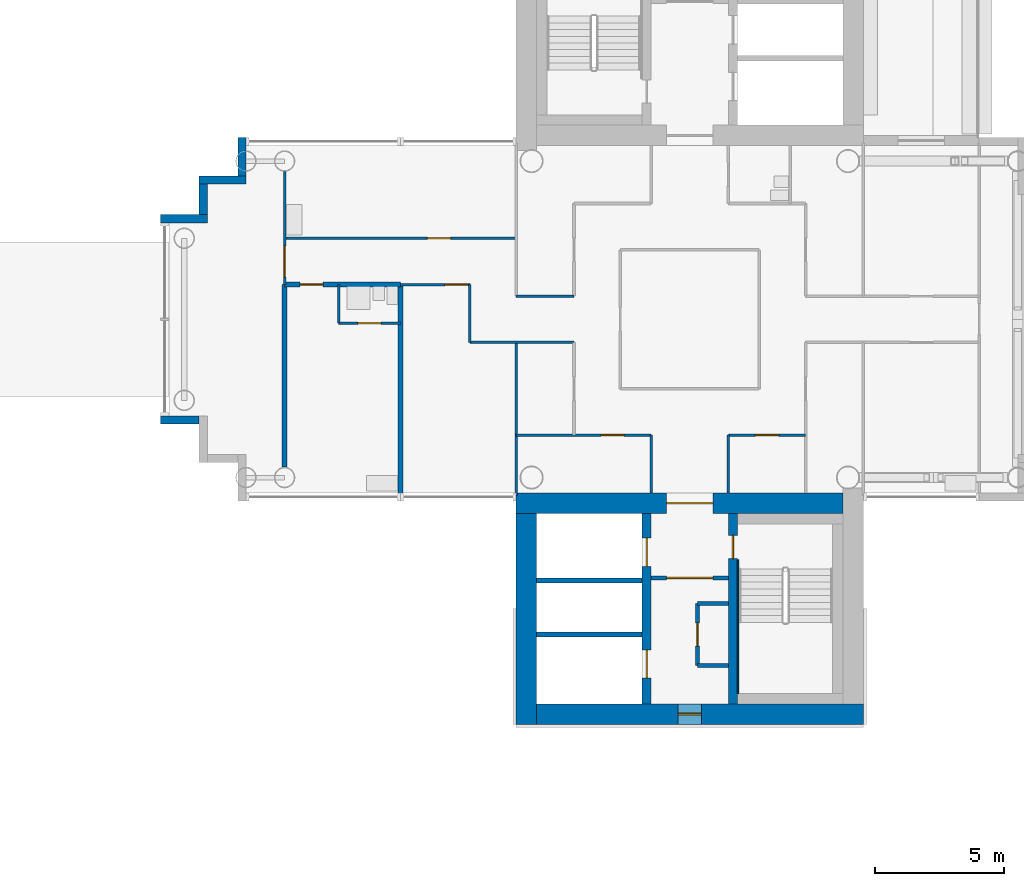
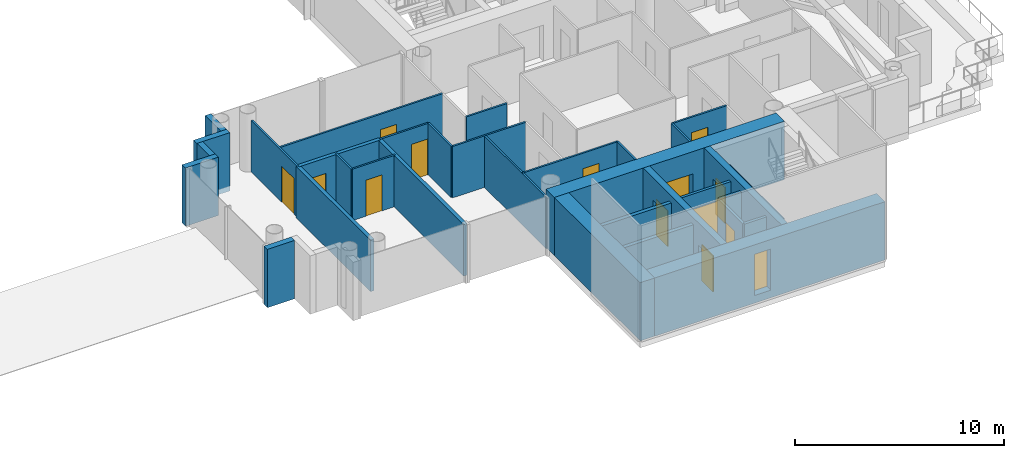
# One storey, part 10 of 19: 33 walls, 13 doors, 1 window, 14 openings.
"""IFC4 building model written with IfcOpenShell, lengths in metres."""

from ifc_helpers import new_model, si_unit, direction, frame, frame_2d, origin, place, context, subcontext, project, spatial, rectangle, extrude, material, layer, layer_set, type_object, element, fill, save


model = new_model("IFC4")

# Units and contexts
model_context = context("Model", 3, precision=1e-05, world=origin(), true_north=direction((0.0, 1.0)))
body_context = subcontext(model_context, "Body", "Model", "MODEL_VIEW")
ifc_project = project(units=[si_unit("LENGTHUNIT", "METRE"), si_unit("AREAUNIT", "SQUARE_METRE"), si_unit("VOLUMEUNIT", "CUBIC_METRE"), si_unit("PLANEANGLEUNIT", "RADIAN"), si_unit("MASSUNIT", "GRAM", prefix="KILO")], contexts=[model_context])

# Site, building, storey
site_placement = place(None, origin())
site = spatial("IfcSite", under=ifc_project, at=site_placement, CompositionType="ELEMENT")
building_placement = place(site_placement, origin())
building = spatial("IfcBuilding", under=site, at=building_placement, Name="Ipe Terrace Towers", CompositionType="ELEMENT")
storey_placement = place(building_placement, frame((0.0, 0.0, 133.699951171875)))
storey = spatial("IfcBuildingStorey", under=building, at=storey_placement, Name="L36", CompositionType="ELEMENT", Elevation=133.699951171875)

# Walls
ifc_material_1 = material(Name="Concrete C40/50 with buff precast cladding", Category="concrete")
ifc_layer_1 = layer(ifc_material_1, 0.320068359375)
ifc_layer_set_1 = layer_set([ifc_layer_1], Name="BUFF CLADDING WALL 320")
wall_type_1 = type_object("IfcWallType", Name="BUFF CLADDING WALL 320", PredefinedType="STANDARD", material=ifc_layer_set_1)
wall_1_placement = place(storey_placement, frame((18.590087890625, 7.070068359375, -0.300048828125), z_axis=(0.0, 0.0, 1.0), x_axis=(0.0, -1.0, 0.0)))
element("IfcWall", 1, at=wall_1_placement, inside=storey, type_object=wall_type_1, Name="T2-W-L36-30a wall", PredefinedType="STANDARD", context=body_context, shape_type="SweptSolid", body=[
    extrude(rectangle(XDim=1.5, YDim=0.320068359375, at=frame_2d((0.75, 0.0))), origin(), (0.0, 0.0, 1.0), 3.400146484375),
])
wall_2_placement = place(storey_placement, frame((18.75, 5.409912109375, -0.300048828125), z_axis=(0.0, 0.0, 1.0), x_axis=(-1.0, 0.0, 0.0)))
element("IfcWall", 2, at=wall_2_placement, inside=storey, type_object=wall_type_1, Name="T2-W-L36-31a wall", PredefinedType="STANDARD", context=body_context, shape_type="SweptSolid", body=[
    extrude(rectangle(XDim=1.820068359375, YDim=0.320068359375, at=frame_2d((0.91015625, 0.0))), origin(), (0.0, 0.0, 1.0), 3.400146484375),
])
wall_3_placement = place(storey_placement, frame((17.090087890625, 5.25, -0.300048828125), z_axis=(0.0, 0.0, 1.0), x_axis=(0.0, -1.0, 0.0)))
element("IfcWall", 3, at=wall_3_placement, inside=storey, type_object=wall_type_1, Name="T2-W-L36-32a wall", PredefinedType="STANDARD", context=body_context, shape_type="SweptSolid", body=[
    extrude(rectangle(XDim=1.179931640625, YDim=0.320068359375, at=frame_2d((0.58984375, 0.0))), origin(), (0.0, 0.0, 1.0), 3.400146484375),
])
wall_4_placement = place(storey_placement, frame((17.25, 3.909912109375, -0.300048828125), z_axis=(0.0, 0.0, 1.0), x_axis=(-1.0, 0.0, 0.0)))
element("IfcWall", 4, at=wall_4_placement, inside=storey, type_object=wall_type_1, Name="T2-W-L36-33a wall", PredefinedType="STANDARD", context=body_context, shape_type="SweptSolid", body=[
    extrude(rectangle(XDim=1.820068359375, YDim=0.320068359375, at=frame_2d((0.91015625, 0.0))), origin(), (0.0, 0.0, 1.0), 3.400146484375),
])
wall_5_placement = place(storey_placement, frame((15.429931640625, -3.909912109375, -0.300048828125), z_axis=(0.0, 0.0, 1.0), x_axis=(1.0, 0.0, 0.0)))
element("IfcWall", 5, at=wall_5_placement, inside=storey, type_object=wall_type_1, Name="T2-W-L36-35a wall", PredefinedType="STANDARD", context=body_context, shape_type="SweptSolid", body=[
    extrude(rectangle(XDim=1.5, YDim=0.320068359375, at=frame_2d((0.75, 0.0))), origin(), (0.0, 0.0, 1.0), 3.400146484375),
])

# Wall, opening, door
ifc_material_2 = material(Name="Gypsum board partition", Category="plasterboard")
ifc_layer_2 = layer(ifc_material_2, 0.10009765625)
ifc_layer_set_2 = layer_set([ifc_layer_2], Name="Gypsum board partition 100 mm")
wall_type_2 = type_object("IfcWallType", Name="Gypsum board partition 100 mm", PredefinedType="PARTITIONING", material=ifc_layer_set_2)
wall_6_placement = place(storey_placement, frame((40.5, -4.5, 0.0), z_axis=(0.0, 0.0, 1.0), x_axis=(-1.0, 0.0, 0.0)))
wall_6 = element("IfcWall", 6, at=wall_6_placement, inside=storey, type_object=wall_type_2, Name="Gypsum board partition T2 L36 W01", PredefinedType="PARTITIONING", context=body_context, shape_type="SweptSolid", body=[
    extrude(rectangle(XDim=3.0, YDim=0.10009765625, at=frame_2d((1.5, 0.0))), origin(), (0.0, 0.0, 1.0), 3.0),
])
opening_1_placement = place(wall_6_placement, frame((1.050048828125, 0.0, 0.0)))
opening_1 = element("IfcOpeningElement", 7, at=opening_1_placement, cuts=wall_6, Name="Opening T2-Z3A-07", PredefinedType="OPENING", context=body_context, shape_type="SweptSolid", body=[
    extrude(rectangle(XDim=0.89990234375, YDim=2.10009765625, at=frame_2d((0.449951171875, 1.050048828125))), frame((0.0, 0.06005859375, 0.0), z_axis=(0.0, -1.0, 0.0), x_axis=(1.0, 0.0, 0.0)), (0.0, 0.0, 1.0), 0.1201171875),
])
ifc_material_3 = material(Name="Timber door leaf", Category="wood")
door_type_1 = type_object("IfcDoorType", Name="Lounge door 900 x 2100", OperationType="NOTDEFINED", PredefinedType="DOOR", material=ifc_material_3)
door_1_placement = place(opening_1_placement, origin())
door_1 = element("IfcDoor", 8, at=door_1_placement, inside=storey, type_object=door_type_1, Name="Lounge door T2-Z3A-07", OperationType="SINGLE_SWING_LEFT", OverallHeight=2.10009765625, OverallWidth=0.89990234375, PredefinedType="DOOR", context=body_context, shape_type="SweptSolid", body=[
    extrude(rectangle(XDim=0.89990234375, YDim=2.10009765625, at=frame_2d((0.449951171875, 1.050048828125))), frame((0.0, 0.02490234375, 0.0), z_axis=(0.0, -1.0, 0.0), x_axis=(1.0, 0.0, 0.0)), (0.0, 0.0, 1.0), 0.050048828125),
])
fill(opening_1, door_1)

wall_7_placement = place(storey_placement, frame((34.5, -4.5, 0.0), z_axis=(0.0, 0.0, 1.0), x_axis=(-1.0, 0.0, 0.0)))
wall_7 = element("IfcWall", 9, at=wall_7_placement, inside=storey, type_object=wall_type_2, Name="Gypsum board partition T2 L36 W02", PredefinedType="PARTITIONING", context=body_context, shape_type="SweptSolid", body=[
    extrude(rectangle(XDim=5.25, YDim=0.10009765625, at=frame_2d((2.625, 0.0))), origin(), (0.0, 0.0, 1.0), 3.0),
])
opening_2_placement = place(wall_7_placement, frame((1.050048828125, 0.0, 0.0)))
opening_2 = element("IfcOpeningElement", 10, at=opening_2_placement, cuts=wall_7, Name="Opening T2-Z3A-05", PredefinedType="OPENING", context=body_context, shape_type="SweptSolid", body=[
    extrude(rectangle(XDim=0.89990234375, YDim=2.10009765625, at=frame_2d((0.449951171875, 1.050048828125))), frame((0.0, 0.06005859375, 0.0), z_axis=(0.0, -1.0, 0.0), x_axis=(1.0, 0.0, 0.0)), (0.0, 0.0, 1.0), 0.1201171875),
])
door_2_placement = place(opening_2_placement, origin())
door_2 = element("IfcDoor", 11, at=door_2_placement, inside=storey, type_object=door_type_1, Name="Lounge door T2-Z3A-05", OperationType="SINGLE_SWING_RIGHT", OverallHeight=2.10009765625, OverallWidth=0.89990234375, PredefinedType="DOOR", context=body_context, shape_type="SweptSolid", body=[
    extrude(rectangle(XDim=0.89990234375, YDim=2.10009765625, at=frame_2d((0.449951171875, 1.050048828125))), frame((0.0, 0.02490234375, 0.0), z_axis=(0.0, -1.0, 0.0), x_axis=(1.0, 0.0, 0.0)), (0.0, 0.0, 1.0), 0.050048828125),
])
fill(opening_2, door_2)

# Wall
wall_8_placement = place(storey_placement, frame((31.5, -0.89990234375, 0.0), z_axis=(0.0, 0.0, 1.0), x_axis=(-1.0, 0.0, 0.0)))
element("IfcWall", 12, at=wall_8_placement, inside=storey, type_object=wall_type_2, Name="Gypsum board partition T2 L36 W05", PredefinedType="PARTITIONING", context=body_context, shape_type="SweptSolid", body=[
    extrude(rectangle(XDim=4.050048828125, YDim=0.10009765625, at=frame_2d((2.02490234375, 0.0))), origin(), (0.0, 0.0, 1.0), 3.0),
])

# Wall, opening, door
wall_9_placement = place(storey_placement, frame((24.75, -0.14990234375, 0.0), z_axis=(0.0, 0.0, 1.0), x_axis=(-1.0, 0.0, 0.0)))
wall_9 = element("IfcWall", 13, at=wall_9_placement, inside=storey, type_object=wall_type_2, Name="Gypsum board partition T2 L36 W06", PredefinedType="PARTITIONING", context=body_context, shape_type="SweptSolid", body=[
    extrude(rectangle(XDim=2.39990234375, YDim=0.10009765625, at=frame_2d((1.199951171875, 0.0))), origin(), (0.0, 0.0, 1.0), 3.0),
])
opening_3_placement = place(wall_9_placement, frame((0.75, 0.0, 0.0)))
opening_3 = element("IfcOpeningElement", 14, at=opening_3_placement, cuts=wall_9, Name="Opening T2-Z3A-11", PredefinedType="OPENING", context=body_context, shape_type="SweptSolid", body=[
    extrude(rectangle(XDim=0.89990234375, YDim=2.10009765625, at=frame_2d((0.449951171875, 1.050048828125))), frame((0.0, 0.06005859375, 0.0), z_axis=(0.0, -1.0, 0.0), x_axis=(1.0, 0.0, 0.0)), (0.0, 0.0, 1.0), 0.1201171875),
])
ifc_material_4 = material(Name="Timber door leaf", Category="wood")
door_type_2 = type_object("IfcDoorType", Name="Bathroom door 900 x 2100", OperationType="NOTDEFINED", PredefinedType="DOOR", material=ifc_material_4)
door_3_placement = place(opening_3_placement, origin())
door_3 = element("IfcDoor", 15, at=door_3_placement, inside=storey, type_object=door_type_2, Name="Bathroom door T2-Z3A-11", OperationType="SINGLE_SWING_LEFT", OverallHeight=2.10009765625, OverallWidth=0.89990234375, PredefinedType="DOOR", context=body_context, shape_type="SweptSolid", body=[
    extrude(rectangle(XDim=0.89990234375, YDim=2.10009765625, at=frame_2d((0.449951171875, 1.050048828125))), frame((0.0, 0.02490234375, 0.0), z_axis=(0.0, -1.0, 0.0), x_axis=(1.0, 0.0, 0.0)), (0.0, 0.0, 1.0), 0.050048828125),
])
fill(opening_3, door_3)

# Wall
wall_10_placement = place(storey_placement, frame((31.5, 0.89990234375, 0.0), z_axis=(0.0, 0.0, 1.0), x_axis=(-1.0, 0.0, 0.0)))
element("IfcWall", 16, at=wall_10_placement, inside=storey, type_object=wall_type_2, Name="Gypsum board partition T2 L36 W08", PredefinedType="PARTITIONING", context=body_context, shape_type="SweptSolid", body=[
    extrude(rectangle(XDim=2.25, YDim=0.10009765625, at=frame_2d((1.125, 0.0))), origin(), (0.0, 0.0, 1.0), 3.0),
])

# Wall, opening, door
wall_11_placement = place(storey_placement, frame((27.449951171875, 1.35009765625, 0.0), z_axis=(0.0, 0.0, 1.0), x_axis=(-1.0, 0.0, 0.0)))
wall_11 = element("IfcWall", 17, at=wall_11_placement, inside=storey, type_object=wall_type_2, Name="Gypsum board partition T2 L36 W09", PredefinedType="PARTITIONING", context=body_context, shape_type="SweptSolid", body=[
    extrude(rectangle(XDim=2.699951171875, YDim=0.10009765625, at=frame_2d((1.35009765625, 0.0))), origin(), (0.0, 0.0, 1.0), 3.0),
])
opening_4_placement = place(wall_11_placement, frame((0.070068359375, 0.0, 0.0)))
opening_4 = element("IfcOpeningElement", 18, at=opening_4_placement, cuts=wall_11, Name="Opening T2-Z3A-09", PredefinedType="OPENING", context=body_context, shape_type="SweptSolid", body=[
    extrude(rectangle(XDim=0.89990234375, YDim=2.10009765625, at=frame_2d((0.449951171875, 1.050048828125))), frame((0.0, 0.06005859375, 0.0), z_axis=(0.0, -1.0, 0.0), x_axis=(1.0, 0.0, 0.0)), (0.0, 0.0, 1.0), 0.1201171875),
])
door_4_placement = place(opening_4_placement, origin())
door_4 = element("IfcDoor", 19, at=door_4_placement, inside=storey, type_object=door_type_1, Name="Lounge door T2-Z3A-09", OperationType="SINGLE_SWING_RIGHT", OverallHeight=2.10009765625, OverallWidth=0.89990234375, PredefinedType="DOOR", context=body_context, shape_type="SweptSolid", body=[
    extrude(rectangle(XDim=0.89990234375, YDim=2.10009765625, at=frame_2d((0.449951171875, 1.050048828125))), frame((0.0, 0.02490234375, 0.0), z_axis=(0.0, -1.0, 0.0), x_axis=(1.0, 0.0, 0.0)), (0.0, 0.0, 1.0), 0.050048828125),
])
fill(opening_4, door_4)

wall_12_placement = place(storey_placement, frame((29.25, 3.14990234375, 0.0), z_axis=(0.0, 0.0, 1.0), x_axis=(-1.0, 0.0, 0.0)))
wall_12 = element("IfcWall", 20, at=wall_12_placement, inside=storey, type_object=wall_type_2, Name="Gypsum board partition T2 L36 W12", PredefinedType="PARTITIONING", context=body_context, shape_type="SweptSolid", body=[
    extrude(rectangle(XDim=9.0, YDim=0.10009765625, at=frame_2d((4.5, 0.0))), origin(), (0.0, 0.0, 1.0), 3.0),
])
opening_5_placement = place(wall_12_placement, frame((2.550048828125, 0.0, 0.0)))
opening_5 = element("IfcOpeningElement", 21, at=opening_5_placement, cuts=wall_12, Name="Opening T2-Z3A-12", PredefinedType="OPENING", context=body_context, shape_type="SweptSolid", body=[
    extrude(rectangle(XDim=0.89990234375, YDim=2.10009765625, at=frame_2d((0.449951171875, 1.050048828125))), frame((0.0, 0.06005859375, 0.0), z_axis=(0.0, -1.0, 0.0), x_axis=(1.0, 0.0, 0.0)), (0.0, 0.0, 1.0), 0.1201171875),
])
door_5_placement = place(opening_5_placement, origin())
door_5 = element("IfcDoor", 22, at=door_5_placement, inside=storey, type_object=door_type_1, Name="Lounge door T2-Z3A-12", OperationType="SINGLE_SWING_LEFT", OverallHeight=2.10009765625, OverallWidth=0.89990234375, PredefinedType="DOOR", context=body_context, shape_type="SweptSolid", body=[
    extrude(rectangle(XDim=0.89990234375, YDim=2.10009765625, at=frame_2d((0.449951171875, 1.050048828125))), frame((0.0, 0.02490234375, 0.0), z_axis=(0.0, -1.0, 0.0), x_axis=(1.0, 0.0, 0.0)), (0.0, 0.0, 1.0), 0.050048828125),
])
fill(opening_5, door_5)

# Walls
for number, where, z_axis, x_axis, name in (
    (23, (37.5, -6.75, 0.0), (0.0, 0.0, 1.0), (0.0, 1.0, 0.0), "Gypsum board partition T2 L36 W25"),
    (24, (34.5, -6.75, 0.0), (0.0, 0.0, 1.0), (0.0, 1.0, 0.0), "Gypsum board partition T2 L36 W29"),
):
    element("IfcWall", number, at=place(storey_placement, frame(where, z_axis=z_axis, x_axis=x_axis)), inside=storey, type_object=wall_type_2, Name=name, PredefinedType="PARTITIONING", context=body_context, shape_type="SweptSolid", body=[
        extrude(rectangle(XDim=2.25, YDim=0.10009765625, at=frame_2d((1.125, 0.0))), origin(), (0.0, 0.0, 1.0), 3.0),
    ])
wall_13_placement = place(storey_placement, frame((29.25, -6.85009765625, 0.0), z_axis=(0.0, 0.0, 1.0), x_axis=(0.0, 1.0, 0.0)))
element("IfcWall", 25, at=wall_13_placement, inside=storey, type_object=wall_type_2, Name="Gypsum board partition T2 L36 W36", PredefinedType="PARTITIONING", context=body_context, shape_type="SweptSolid", body=[
    extrude(rectangle(XDim=5.9501953125, YDim=0.10009765625, at=frame_2d((2.97509765625, 0.0))), origin(), (0.0, 0.0, 1.0), 3.0),
])
wall_14_placement = place(storey_placement, frame((27.449951171875, -0.89990234375, 0.0), z_axis=(0.0, 0.0, 1.0), x_axis=(0.0, 1.0, 0.0)))
element("IfcWall", 26, at=wall_14_placement, inside=storey, type_object=wall_type_2, Name="Gypsum board partition T2 L36 W38", PredefinedType="PARTITIONING", context=body_context, shape_type="SweptSolid", body=[
    extrude(rectangle(XDim=2.25, YDim=0.10009765625, at=frame_2d((1.125, 0.0))), origin(), (0.0, 0.0, 1.0), 3.0),
])
wall_15_placement = place(storey_placement, frame((22.35009765625, -0.14990234375, 0.0), z_axis=(0.0, 0.0, 1.0), x_axis=(0.0, 1.0, 0.0)))
element("IfcWall", 27, at=wall_15_placement, inside=storey, type_object=wall_type_2, Name="Gypsum board partition T2 L36 W40", PredefinedType="PARTITIONING", context=body_context, shape_type="SweptSolid", body=[
    extrude(rectangle(XDim=1.5, YDim=0.10009765625, at=frame_2d((0.75, 0.0))), origin(), (0.0, 0.0, 1.0), 3.0),
])

# Wall, opening, door
wall_16_placement = place(storey_placement, frame((20.25, 1.35009765625, 0.0), z_axis=(0.0, 0.0, 1.0), x_axis=(0.0, 1.0, 0.0)))
wall_16 = element("IfcWall", 28, at=wall_16_placement, inside=storey, type_object=wall_type_2, Name="Gypsum board partition T2 L36 W41", PredefinedType="PARTITIONING", context=body_context, shape_type="SweptSolid", body=[
    extrude(rectangle(XDim=4.39990234375, YDim=0.10009765625, at=frame_2d((2.199951171875, 0.0))), origin(), (0.0, 0.0, 1.0), 3.0),
])
opening_6_placement = place(wall_16_placement, frame((0.300048828125, 0.0, 0.0)))
opening_6 = element("IfcOpeningElement", 29, at=opening_6_placement, cuts=wall_16, Name="Opening T2-Z3A-13", PredefinedType="OPENING", context=body_context, shape_type="SweptSolid", body=[
    extrude(rectangle(XDim=1.199951171875, YDim=2.10009765625, at=frame_2d((0.60009765625, 1.050048828125))), frame((0.0, 0.06005859375, 0.0), z_axis=(0.0, -1.0, 0.0), x_axis=(1.0, 0.0, 0.0)), (0.0, 0.0, 1.0), 0.1201171875),
])
ifc_material_5 = material(Name="Timber door leaf", Category="wood")
door_type_3 = type_object("IfcDoorType", Name="Lounge door 1200 x 2100", OperationType="NOTDEFINED", PredefinedType="DOOR", material=ifc_material_5)
door_6_placement = place(opening_6_placement, origin())
door_6 = element("IfcDoor", 30, at=door_6_placement, inside=storey, type_object=door_type_3, Name="Lounge door T2-Z3A-13", OperationType="SINGLE_SWING_RIGHT", OverallHeight=2.10009765625, OverallWidth=1.199951171875, PredefinedType="DOOR", context=body_context, shape_type="SweptSolid", body=[
    extrude(rectangle(XDim=1.199951171875, YDim=2.10009765625, at=frame_2d((0.60009765625, 1.050048828125))), frame((0.0, 0.02490234375, 0.0), z_axis=(0.0, -1.0, 0.0), x_axis=(1.0, 0.0, 0.0)), (0.0, 0.0, 1.0), 0.050048828125),
])
fill(opening_6, door_6)

ifc_material_6 = material(Name="Gypsum board partition", Category="plasterboard")
ifc_layer_3 = layer(ifc_material_6, 0.14990234375)
ifc_layer_set_3 = layer_set([ifc_layer_3], Name="Gypsum board partition 150 mm")
wall_type_3 = type_object("IfcWallType", Name="Gypsum board partition 150 mm", PredefinedType="PARTITIONING", material=ifc_layer_set_3)
wall_17_placement = place(storey_placement, frame((34.5, -10.050048828125, 0.0), z_axis=(0.0, 0.0, 1.0), x_axis=(1.0, 0.0, 0.0)))
wall_17 = element("IfcWall", 31, at=wall_17_placement, inside=storey, type_object=wall_type_3, Name="Gypsum board partition T2 L36 t2c2-lobby-wall", PredefinedType="PARTITIONING", context=body_context, shape_type="SweptSolid", body=[
    extrude(rectangle(XDim=3.0, YDim=0.14990234375, at=frame_2d((1.5, 0.0))), origin(), (0.0, 0.0, 1.0), 3.0),
])
opening_7_placement = place(wall_17_placement, frame((0.60009765625, 0.0, 0.0)))
opening_7 = element("IfcOpeningElement", 32, at=opening_7_placement, cuts=wall_17, Name="Opening T2C2-VD", PredefinedType="OPENING", context=body_context, shape_type="SweptSolid", body=[
    extrude(rectangle(XDim=1.800048828125, YDim=2.10009765625, at=frame_2d((0.89990234375, 1.050048828125))), frame((0.0, 0.0849609375, 0.0), z_axis=(0.0, -1.0, 0.0), x_axis=(1.0, 0.0, 0.0)), (0.0, 0.0, 1.0), 0.169921875),
])
ifc_material_7 = material(Name="Fire-rated timber door leaf", Category="wood")
door_type_4 = type_object("IfcDoorType", Name="Lobby door 1800 x 2100 FD60", OperationType="NOTDEFINED", PredefinedType="DOOR", material=ifc_material_7)
door_7_placement = place(opening_7_placement, origin())
door_7 = element("IfcDoor", 33, at=door_7_placement, inside=storey, type_object=door_type_4, Name="Lobby door T2C2-VD", OperationType="SINGLE_SWING_LEFT", OverallHeight=2.10009765625, OverallWidth=1.800048828125, PredefinedType="DOOR", context=body_context, shape_type="SweptSolid", body=[
    extrude(rectangle(XDim=1.800048828125, YDim=2.10009765625, at=frame_2d((0.89990234375, 1.050048828125))), frame((0.0, 0.02490234375, 0.0), z_axis=(0.0, -1.0, 0.0), x_axis=(1.0, 0.0, 0.0)), (0.0, 0.0, 1.0), 0.050048828125),
])
fill(opening_7, door_7)

wall_18_placement = place(storey_placement, frame((36.300048828125, -11.050048828125, 0.0), z_axis=(0.0, 0.0, 1.0), x_axis=(0.0, -1.0, 0.0)))
wall_18 = element("IfcWall", 34, at=wall_18_placement, inside=storey, type_object=wall_type_3, Name="Gypsum board partition T2 L36 t2c2-cup-n-f", PredefinedType="PARTITIONING", context=body_context, shape_type="SweptSolid", body=[
    extrude(rectangle(XDim=2.39990234375, YDim=0.14990234375, at=frame_2d((1.199951171875, 0.0))), origin(), (0.0, 0.0, 1.0), 3.0),
])
opening_8_placement = place(wall_18_placement, frame((0.75, 0.0, 0.0)))
opening_8 = element("IfcOpeningElement", 35, at=opening_8_placement, cuts=wall_18, Name="Opening T2C2-SR", PredefinedType="OPENING", context=body_context, shape_type="SweptSolid", body=[
    extrude(rectangle(XDim=0.89990234375, YDim=2.10009765625, at=frame_2d((0.449951171875, 1.050048828125))), frame((0.0, 0.0849609375, 0.0), z_axis=(0.0, -1.0, 0.0), x_axis=(1.0, 0.0, 0.0)), (0.0, 0.0, 1.0), 0.169921875),
])
ifc_material_8 = material(Name="Fire-rated timber door leaf", Category="wood")
door_type_5 = type_object("IfcDoorType", Name="Service door 900 x 2100 FD60", OperationType="NOTDEFINED", PredefinedType="DOOR", material=ifc_material_8)
door_8_placement = place(opening_8_placement, origin())
door_8 = element("IfcDoor", 36, at=door_8_placement, inside=storey, type_object=door_type_5, Name="Service door T2C2-SR", OperationType="SINGLE_SWING_LEFT", OverallHeight=2.10009765625, OverallWidth=0.89990234375, PredefinedType="DOOR", context=body_context, shape_type="SweptSolid", body=[
    extrude(rectangle(XDim=0.89990234375, YDim=2.10009765625, at=frame_2d((0.449951171875, 1.050048828125))), frame((0.0, 0.02490234375, 0.0), z_axis=(0.0, -1.0, 0.0), x_axis=(1.0, 0.0, 0.0)), (0.0, 0.0, 1.0), 0.050048828125),
])
fill(opening_8, door_8)

# Walls
for number, where, z_axis, x_axis, name in (
    (37, (36.300048828125, -11.050048828125, 0.0), (0.0, 0.0, 1.0), (1.0, 0.0, 0.0), "Gypsum board partition T2 L36 t2c2-cup-n-a"),
    (38, (36.300048828125, -13.449951171875, 0.0), (0.0, 0.0, 1.0), (1.0, 0.0, 0.0), "Gypsum board partition T2 L36 t2c2-cup-n-b"),
):
    element("IfcWall", number, at=place(storey_placement, frame(where, z_axis=z_axis, x_axis=x_axis)), inside=storey, type_object=wall_type_3, Name=name, PredefinedType="PARTITIONING", context=body_context, shape_type="SweptSolid", body=[
        extrude(rectangle(XDim=1.199951171875, YDim=0.14990234375, at=frame_2d((0.60009765625, 0.0))), origin(), (0.0, 0.0, 1.0), 3.0),
    ])
ifc_material_9 = material(Name="Gypsum board party wall", Category="plasterboard")
ifc_layer_4 = layer(ifc_material_9, 0.199951171875)
ifc_layer_set_4 = layer_set([ifc_layer_4], Name="Gypsum board party wall 200 mm")
wall_type_4 = type_object("IfcWallType", Name="Gypsum board party wall 200 mm", PredefinedType="SOLIDWALL", material=ifc_layer_set_4)
for number, where, z_axis, x_axis, name in (
    (39, (30.050048828125, -10.14990234375, 0.0), (0.0, 0.0, 1.0), (1.0, 0.0, 0.0), "Gypsum board party wall T2 L36 t2c2-shaft-div1"),
    (40, (30.050048828125, -12.25, 0.0), (0.0, 0.0, 1.0), (1.0, 0.0, 0.0), "Gypsum board party wall T2 L36 t2c2-shaft-div2"),
):
    element("IfcWall", number, at=place(storey_placement, frame(where, z_axis=z_axis, x_axis=x_axis)), inside=storey, type_object=wall_type_4, Name=name, PredefinedType="SOLIDWALL", context=body_context, shape_type="SweptSolid", body=[
        extrude(rectangle(XDim=4.099853515625, YDim=0.199951171875, at=frame_2d((2.0498046875, 0.0))), origin(), (0.0, 0.0, 1.0), 3.0),
    ])

# Wall, opening, door
wall_19_placement = place(storey_placement, frame((24.75, 1.35009765625, 0.0), z_axis=(0.0, 0.0, 1.0), x_axis=(-1.0, 0.0, 0.0)))
wall_19 = element("IfcWall", 41, at=wall_19_placement, inside=storey, type_object=wall_type_4, Name="Gypsum board party wall T2 L36 W10", PredefinedType="SOLIDWALL", context=body_context, shape_type="SweptSolid", body=[
    extrude(rectangle(XDim=4.5, YDim=0.199951171875, at=frame_2d((2.25, 0.0))), origin(), (0.0, 0.0, 1.0), 3.0),
])
opening_9_placement = place(wall_19_placement, frame((3.0, 0.0, 0.0)))
opening_9 = element("IfcOpeningElement", 42, at=opening_9_placement, cuts=wall_19, Name="Opening T2-Z3A-10", PredefinedType="OPENING", context=body_context, shape_type="SweptSolid", body=[
    extrude(rectangle(XDim=0.89990234375, YDim=2.10009765625, at=frame_2d((0.449951171875, 1.050048828125))), frame((0.0, 0.10986328125, 0.0), z_axis=(0.0, -1.0, 0.0), x_axis=(1.0, 0.0, 0.0)), (0.0, 0.0, 1.0), 0.219970703125),
])
ifc_material_10 = material(Name="Fire-rated timber door leaf", Category="wood")
door_type_6 = type_object("IfcDoorType", Name="Flat entrance door 900 x 2100 FD30S", OperationType="NOTDEFINED", PredefinedType="DOOR", material=ifc_material_10)
door_9_placement = place(opening_9_placement, origin())
door_9 = element("IfcDoor", 43, at=door_9_placement, inside=storey, type_object=door_type_6, Name="Flat entrance door T2-Z3A-10", OperationType="SINGLE_SWING_LEFT", OverallHeight=2.10009765625, OverallWidth=0.89990234375, PredefinedType="DOOR", context=body_context, shape_type="SweptSolid", body=[
    extrude(rectangle(XDim=0.89990234375, YDim=2.10009765625, at=frame_2d((0.449951171875, 1.050048828125))), frame((0.0, 0.02490234375, 0.0), z_axis=(0.0, -1.0, 0.0), x_axis=(1.0, 0.0, 0.0)), (0.0, 0.0, 1.0), 0.050048828125),
])
fill(opening_9, door_9)

# Walls
wall_20_placement = place(storey_placement, frame((24.75, -6.85009765625, 0.0), z_axis=(0.0, 0.0, 1.0), x_axis=(0.0, 1.0, 0.0)))
element("IfcWall", 44, at=wall_20_placement, inside=storey, type_object=wall_type_4, Name="Gypsum board party wall T2 L36 W39", PredefinedType="SOLIDWALL", context=body_context, shape_type="SweptSolid", body=[
    extrude(rectangle(XDim=8.2001953125, YDim=0.199951171875, at=frame_2d((4.10009765625, 0.0))), origin(), (0.0, 0.0, 1.0), 3.0),
])
wall_21_placement = place(storey_placement, frame((20.25, -5.75, 0.0), z_axis=(0.0, 0.0, 1.0), x_axis=(0.0, 1.0, 0.0)))
element("IfcWall", 45, at=wall_21_placement, inside=storey, type_object=wall_type_4, Name="Gypsum board party wall T2 L36 W42", PredefinedType="SOLIDWALL", context=body_context, shape_type="SweptSolid", body=[
    extrude(rectangle(XDim=7.10009765625, YDim=0.199951171875, at=frame_2d((3.550048828125, 0.0))), origin(), (0.0, 0.0, 1.0), 3.0),
])

# Wall, openings, doors
ifc_material_11 = material(Name="Concrete C50/60", Category="concrete")
ifc_layer_5 = layer(ifc_material_11, 0.35009765625)
ifc_layer_set_5 = layer_set([ifc_layer_5], Name="RW350 CORE SPINE WALL 350 C50-60")
wall_type_5 = type_object("IfcWallType", Name="RW350 CORE SPINE WALL 350 C50-60", PredefinedType="SHEAR", material=ifc_layer_set_5)
wall_22_placement = place(storey_placement, frame((34.324951171875, -14.949951171875, 0.0), z_axis=(0.0, 0.0, 1.0), x_axis=(0.0, 1.0, 0.0)))
wall_22 = element("IfcWall", 46, at=wall_22_placement, inside=storey, type_object=wall_type_5, Name="Core spine wall T2-C2-Z3-SW1", PredefinedType="SHEAR", context=body_context, shape_type="SweptSolid", body=[
    extrude(rectangle(XDim=7.39990234375, YDim=0.35009765625, at=frame_2d((3.699951171875, 0.0))), origin(), (0.0, 0.0, 1.0), 3.400146484375),
])
opening_10_placement = place(wall_22_placement, frame((5.35009765625, 0.0, 0.0)))
opening_10 = element("IfcOpeningElement", 47, at=opening_10_placement, cuts=wall_22, Name="Opening T2C2-LD1", PredefinedType="OPENING", context=body_context, shape_type="SweptSolid", body=[
    extrude(rectangle(XDim=1.10009765625, YDim=2.10009765625, at=frame_2d((0.550048828125, 1.050048828125))), frame((0.0, 0.18505859375, 0.0), z_axis=(0.0, -1.0, 0.0), x_axis=(1.0, 0.0, 0.0)), (0.0, 0.0, 1.0), 0.3701171875),
])
opening_11_placement = place(wall_22_placement, frame((1.0, 0.0, 0.0)))
opening_11 = element("IfcOpeningElement", 48, at=opening_11_placement, cuts=wall_22, Name="Opening T2C2-LD3", PredefinedType="OPENING", context=body_context, shape_type="SweptSolid", body=[
    extrude(rectangle(XDim=1.10009765625, YDim=2.10009765625, at=frame_2d((0.550048828125, 1.050048828125))), frame((0.0, 0.18505859375, 0.0), z_axis=(0.0, -1.0, 0.0), x_axis=(1.0, 0.0, 0.0)), (0.0, 0.0, 1.0), 0.3701171875),
])
ifc_material_12 = material(Name="Fire-rated timber door leaf", Category="wood")
door_type_7 = type_object("IfcDoorType", Name="Sliding door 1100 x 2100 FD60", OperationType="SLIDING_TO_LEFT", PredefinedType="DOOR", material=ifc_material_12)
door_10_placement = place(opening_10_placement, origin())
door_10 = element("IfcDoor", 49, at=door_10_placement, inside=storey, type_object=door_type_7, Name="Sliding door T2C2-LD1", OperationType="SLIDING_TO_LEFT", OverallHeight=2.10009765625, OverallWidth=1.10009765625, PredefinedType="DOOR", context=body_context, shape_type="SweptSolid", body=[
    extrude(rectangle(XDim=1.10009765625, YDim=2.10009765625, at=frame_2d((0.550048828125, 1.050048828125))), frame((0.0, 0.02490234375, 0.0), z_axis=(0.0, -1.0, 0.0), x_axis=(1.0, 0.0, 0.0)), (0.0, 0.0, 1.0), 0.050048828125),
])
fill(opening_10, door_10)
door_11_placement = place(opening_11_placement, origin())
door_11 = element("IfcDoor", 50, at=door_11_placement, inside=storey, type_object=door_type_7, Name="Sliding door T2C2-LD3", OperationType="SLIDING_TO_LEFT", OverallHeight=2.10009765625, OverallWidth=1.10009765625, PredefinedType="DOOR", context=body_context, shape_type="SweptSolid", body=[
    extrude(rectangle(XDim=1.10009765625, YDim=2.10009765625, at=frame_2d((0.550048828125, 1.050048828125))), frame((0.0, 0.02490234375, 0.0), z_axis=(0.0, -1.0, 0.0), x_axis=(1.0, 0.0, 0.0)), (0.0, 0.0, 1.0), 0.050048828125),
])
fill(opening_11, door_11)

# Wall, opening, door
wall_23_placement = place(storey_placement, frame((37.675048828125, -14.949951171875, 0.0), z_axis=(0.0, 0.0, 1.0), x_axis=(0.0, 1.0, 0.0)))
wall_23 = element("IfcWall", 51, at=wall_23_placement, inside=storey, type_object=wall_type_5, Name="Core spine wall T2-C2-Z3-SW2", PredefinedType="SHEAR", context=body_context, shape_type="SweptSolid", body=[
    extrude(rectangle(XDim=7.39990234375, YDim=0.35009765625, at=frame_2d((3.699951171875, 0.0))), origin(), (0.0, 0.0, 1.0), 3.400146484375),
])
opening_12_placement = place(wall_23_placement, frame((5.64990234375, 0.0, 0.0)))
opening_12 = element("IfcOpeningElement", 52, at=opening_12_placement, cuts=wall_23, Name="Opening T2C2-SD", PredefinedType="OPENING", context=body_context, shape_type="SweptSolid", body=[
    extrude(rectangle(XDim=0.89990234375, YDim=2.10009765625, at=frame_2d((0.449951171875, 1.050048828125))), frame((0.0, 0.18505859375, 0.0), z_axis=(0.0, -1.0, 0.0), x_axis=(1.0, 0.0, 0.0)), (0.0, 0.0, 1.0), 0.3701171875),
])
ifc_material_13 = material(Name="Fire-rated timber door leaf", Category="wood")
door_type_8 = type_object("IfcDoorType", Name="Stair door 900 x 2100 FD60", OperationType="NOTDEFINED", PredefinedType="DOOR", material=ifc_material_13)
door_12_placement = place(opening_12_placement, origin())
door_12 = element("IfcDoor", 53, at=door_12_placement, inside=storey, type_object=door_type_8, Name="Stair door T2C2-SD", OperationType="SINGLE_SWING_RIGHT", OverallHeight=2.10009765625, OverallWidth=0.89990234375, PredefinedType="DOOR", context=body_context, shape_type="SweptSolid", body=[
    extrude(rectangle(XDim=0.89990234375, YDim=2.10009765625, at=frame_2d((0.449951171875, 1.050048828125))), frame((0.0, 0.02490234375, 0.0), z_axis=(0.0, -1.0, 0.0), x_axis=(1.0, 0.0, 0.0)), (0.0, 0.0, 1.0), 0.050048828125),
])
fill(opening_12, door_12)

# Wall
ifc_material_14 = material(Name="Concrete C50/60", Category="concrete")
ifc_layer_6 = layer(ifc_material_14, 0.050048828125)
ifc_layer_set_6 = layer_set([ifc_layer_6], Name="RW50 CORE INFILL WALL 50 C50-60")
wall_type_6 = type_object("IfcWallType", Name="RW50 CORE INFILL WALL 50 C50-60", PredefinedType="SHEAR", material=ifc_layer_set_6)
wall_24_placement = place(storey_placement, frame((37.875, -9.35009765625, 0.0), z_axis=(0.0, 0.0, 1.0), x_axis=(0.0, -1.0, 0.0)))
element("IfcWall", 54, at=wall_24_placement, inside=storey, type_object=wall_type_6, Name="Core infill wall T2-C2-spine-b", PredefinedType="SHEAR", context=body_context, shape_type="SweptSolid", body=[
    extrude(rectangle(XDim=5.199951171875, YDim=0.050048828125, at=frame_2d((2.60009765625, 0.0))), origin(), (0.0, 0.0, 1.0), 3.400146484375),
])

# Wall, opening, window
ifc_material_15 = material(Name="Concrete C50/60", Category="concrete")
ifc_layer_7 = layer(ifc_material_15, 0.800048828125)
ifc_layer_set_7 = layer_set([ifc_layer_7], Name="RW800 CORE WALL 800 C50-60")
wall_type_7 = type_object("IfcWallType", Name="RW800 CORE WALL 800 C50-60", PredefinedType="SHEAR", material=ifc_layer_set_7)
wall_25_placement = place(storey_placement, frame((30.050048828125, -15.35009765625, 0.0), z_axis=(0.0, 0.0, 1.0), x_axis=(1.0, 0.0, 0.0)))
wall_25 = element("IfcWall", 55, at=wall_25_placement, inside=storey, type_object=wall_type_7, Name="Core wall T2-C2-Z3-W01", PredefinedType="SHEAR", context=body_context, shape_type="SweptSolid", body=[
    extrude(rectangle(XDim=12.699951171875, YDim=0.800048828125, at=frame_2d((6.35009765625, 0.0))), origin(), (0.0, 0.0, 1.0), 3.400146484375),
])
opening_13_placement = place(wall_25_placement, frame((5.5, 0.0, 0.449951171875)))
opening_13 = element("IfcOpeningElement", 56, at=opening_13_placement, cuts=wall_25, Name="Opening T2-C2-W-01-L36", PredefinedType="OPENING", context=body_context, shape_type="SweptSolid", body=[
    extrude(rectangle(XDim=0.89990234375, YDim=2.39990234375, at=frame_2d((0.449951171875, 1.199951171875))), frame((0.0, 0.41015625, 0.0), z_axis=(0.0, -1.0, 0.0), x_axis=(1.0, 0.0, 0.0)), (0.0, 0.0, 1.0), 0.820068359375),
])
ifc_material_16 = material(Name="Fire-resistant glazing EI 60", Category="glass")
window_type = type_object("IfcWindowType", Name="CORRIDOR END SLOT WINDOW 900 x 2400 EI 60", PartitioningType="SINGLE_PANEL", PredefinedType="WINDOW", material=ifc_material_16)
window_placement = place(opening_13_placement, origin())
window = element("IfcWindow", 57, at=window_placement, inside=storey, type_object=window_type, Name="W-01 window", OverallHeight=2.39990234375, OverallWidth=0.89990234375, PartitioningType="SINGLE_PANEL", PredefinedType="WINDOW", context=body_context, shape_type="SweptSolid", body=[
    extrude(rectangle(XDim=0.89990234375, YDim=2.39990234375, at=frame_2d((0.449951171875, 1.199951171875))), frame((0.0, 0.030029296875, 0.0), z_axis=(0.0, -1.0, 0.0), x_axis=(1.0, 0.0, 0.0)), (0.0, 0.0, 1.0), 0.06005859375),
])
fill(opening_13, window)

# Wall, opening, door
wall_26_placement = place(storey_placement, frame((41.949951171875, -7.14990234375, 0.0), z_axis=(0.0, 0.0, 1.0), x_axis=(-1.0, 0.0, 0.0)))
wall_26 = element("IfcWall", 58, at=wall_26_placement, inside=storey, type_object=wall_type_7, Name="Core wall T2-C2-Z3-W03", PredefinedType="SHEAR", context=body_context, shape_type="SweptSolid", body=[
    extrude(rectangle(XDim=12.699951171875, YDim=0.800048828125, at=frame_2d((6.35009765625, 0.0))), origin(), (0.0, 0.0, 1.0), 3.400146484375),
])
opening_14_placement = place(wall_26_placement, frame((5.050048828125, 0.0, 0.0)))
opening_14 = element("IfcOpeningElement", 59, at=opening_14_placement, cuts=wall_26, Name="Opening T2C2-ND", PredefinedType="OPENING", context=body_context, shape_type="SweptSolid", body=[
    extrude(rectangle(XDim=1.800048828125, YDim=2.10009765625, at=frame_2d((0.89990234375, 1.050048828125))), frame((0.0, 0.41015625, 0.0), z_axis=(0.0, -1.0, 0.0), x_axis=(1.0, 0.0, 0.0)), (0.0, 0.0, 1.0), 0.820068359375),
])
ifc_material_17 = material(Name="Fire-rated timber door leaf", Category="wood")
door_type_9 = type_object("IfcDoorType", Name="Fire door 1800 x 2100 FD30S", OperationType="NOTDEFINED", PredefinedType="DOOR", material=ifc_material_17)
door_13_placement = place(opening_14_placement, origin())
door_13 = element("IfcDoor", 60, at=door_13_placement, inside=storey, type_object=door_type_9, Name="Fire door T2C2-ND", OperationType="SINGLE_SWING_LEFT", OverallHeight=2.10009765625, OverallWidth=1.800048828125, PredefinedType="DOOR", context=body_context, shape_type="SweptSolid", body=[
    extrude(rectangle(XDim=1.800048828125, YDim=2.10009765625, at=frame_2d((0.89990234375, 1.050048828125))), frame((0.0, 0.02490234375, 0.0), z_axis=(0.0, -1.0, 0.0), x_axis=(1.0, 0.0, 0.0)), (0.0, 0.0, 1.0), 0.050048828125),
])
fill(opening_14, door_13)

# Wall
wall_27_placement = place(storey_placement, frame((29.64990234375, -7.550048828125, 0.0), z_axis=(0.0, 0.0, 1.0), x_axis=(0.0, -1.0, 0.0)))
element("IfcWall", 61, at=wall_27_placement, inside=storey, type_object=wall_type_7, Name="Core wall T2-C2-Z3-W04", PredefinedType="SHEAR", context=body_context, shape_type="SweptSolid", body=[
    extrude(rectangle(XDim=8.199951171875, YDim=0.800048828125, at=frame_2d((4.10009765625, 0.0))), origin(), (0.0, 0.0, 1.0), 3.400146484375),
])

save(model, "model.ifc")
